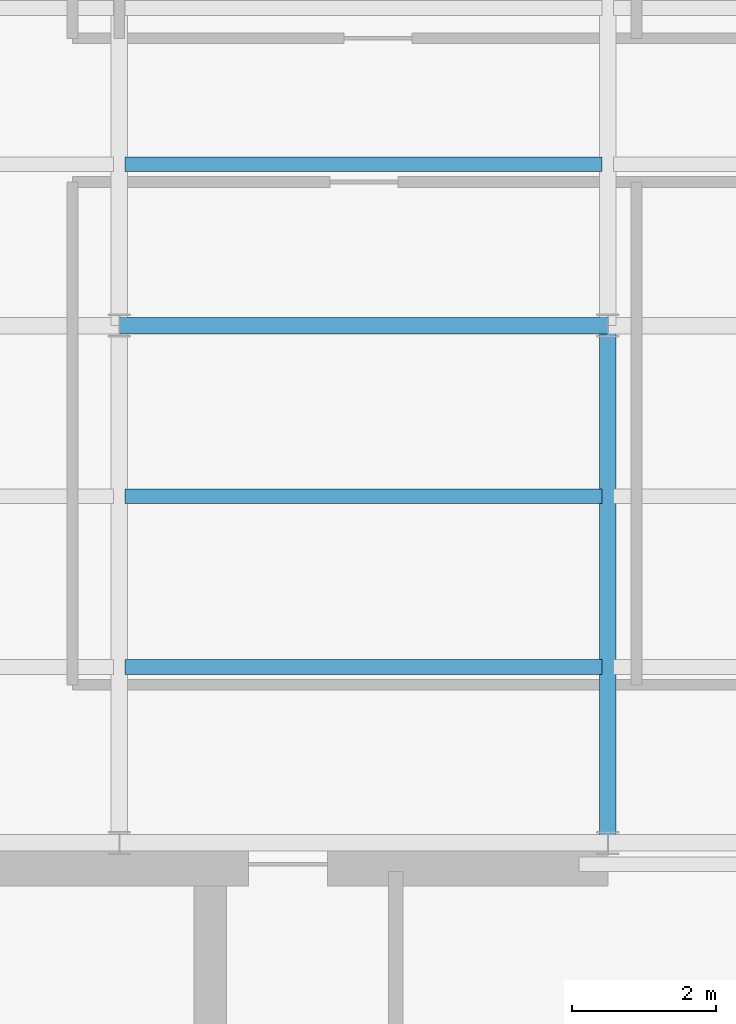
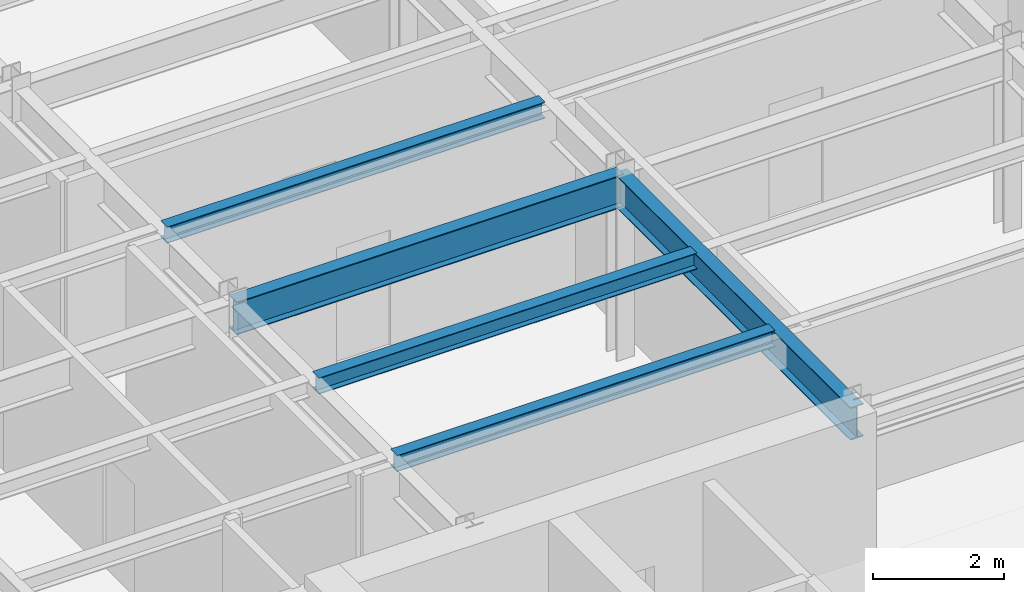
# One storey, part 6 of 22: 5 beams.
"""IFC4 building model written with IfcOpenShell, lengths in metres."""

from ifc_helpers import new_model, si_unit, derived_unit, direction, frame, origin, origin_2d, place, context, subcontext, project, spatial, i_section, extrude, source, transform, mapped, material, material_profile, profile_set, type_object, element, save


model = new_model("IFC4")

# Units and contexts
model_context = context("Model", 3, precision=1e-05, world=origin(), true_north=direction((0.0, 1.0)))
body_context = subcontext(model_context, "Body", "Model", "MODEL_VIEW")
ifc_project = project(units=[si_unit("LENGTHUNIT", "METRE"), si_unit("AREAUNIT", "SQUARE_METRE"), si_unit("VOLUMEUNIT", "CUBIC_METRE"), si_unit("PLANEANGLEUNIT", "RADIAN"), si_unit("MASSUNIT", "GRAM", prefix="KILO"), derived_unit("THERMALTRANSMITTANCEUNIT", [(si_unit("POWERUNIT", "WATT"), 1), (si_unit("LENGTHUNIT", "METRE"), -2), (si_unit("THERMODYNAMICTEMPERATUREUNIT", "KELVIN"), -1)])], contexts=[model_context])

# Site, building, storey
site_placement = place(None, origin())
site = spatial("IfcSite", under=ifc_project, at=site_placement, CompositionType="ELEMENT")
building_placement = place(site_placement, origin())
building = spatial("IfcBuilding", under=site, at=building_placement, Name="Skarnbrae Concourse Arena and Tower", CompositionType="ELEMENT")
storey_placement = place(building_placement, frame((0.0, 0.0, 251.5)))
storey = spatial("IfcBuildingStorey", under=building, at=storey_placement, Name="L65", CompositionType="ELEMENT", Elevation=251.5)

# Beams
ifc_material = material(Name="Steel CSA G40.21 350W", Category="steel")
ifc_material_profile_1 = material_profile(ifc_material, i_section(OverallWidth=0.22802734375, OverallDepth=0.60791015625, WebThickness=0.01123046875, FlangeThickness=0.017333984375, at=origin_2d()), Name="W610X113")
ifc_profile_set_1 = profile_set([ifc_material_profile_1], Name="Steel CSA G40.21 350W")
beam_type_1 = type_object("IfcBeamType", Name="BM-GIRD-W610X113", PredefinedType="BEAM", material=ifc_profile_set_1)
shared_shape_1 = source(origin(), body_context, "Body", "SweptSolid", [
    extrude(i_section(OverallWidth=0.22802734375, OverallDepth=0.60791015625, WebThickness=0.01123046875, FlangeThickness=0.017333984375, at=origin_2d()), origin(), (0.0, 0.0, 1.0), 6.7998046875),
])
beam_1_placement = place(storey_placement, frame((7.60009765625, 21.199951171875, 3.095947265625), z_axis=(1.0, 0.0, 0.0), x_axis=(0.0, 1.0, 0.0)))
element("IfcBeam", 1, at=beam_1_placement, inside=storey, type_object=beam_type_1, Name="L65 Primary E-W girder Y21.2-2", PredefinedType="BEAM", context=body_context, shape_type="MappedRepresentation", body=[
    mapped(shared_shape_1, transform((0.0, 0.0, 0.0))),
])
shared_shape_2 = source(origin(), body_context, "Body", "SweptSolid", [
    extrude(i_section(OverallWidth=0.22802734375, OverallDepth=0.60791015625, WebThickness=0.01123046875, FlangeThickness=0.017333984375, at=origin_2d()), origin(), (0.0, 0.0, 1.0), 7.199951171875),
])
beam_2_placement = place(storey_placement, frame((14.39990234375, 14.0, 3.095947265625), z_axis=(0.0, 1.0, 0.0), x_axis=(-1.0, 0.0, 0.0)))
element("IfcBeam", 2, at=beam_2_placement, inside=storey, type_object=beam_type_1, Name="L65 Primary N-S girder X14.4-1", PredefinedType="BEAM", context=body_context, shape_type="MappedRepresentation", body=[
    mapped(shared_shape_2, transform((0.0, 0.0, 0.0))),
])
ifc_material_profile_2 = material_profile(ifc_material, i_section(OverallWidth=0.202880859375, OverallDepth=0.302978515625, WebThickness=0.007568359375, FlangeThickness=0.01318359375, at=origin_2d()), Name="W310X60")
ifc_profile_set_2 = profile_set([ifc_material_profile_2], Name="Steel CSA G40.21 350W")
beam_type_2 = type_object("IfcBeamType", Name="BM-JOIST-W310X60", PredefinedType="JOIST", material=ifc_profile_set_2)
shared_shape_3 = source(origin(), body_context, "Body", "SweptSolid", [
    extrude(i_section(OverallWidth=0.202880859375, OverallDepth=0.302978515625, WebThickness=0.007568359375, FlangeThickness=0.01318359375, at=origin_2d()), origin(), (0.0, 0.0, 1.0), 6.64013671875),
])
for number, where, z_axis, x_axis, name in (
    (3, (7.679931640625, 16.447998046875, 3.24853515625), (1.0, 0.0, 0.0), (0.0, 1.0, 0.0), "L65 Secondary floor joist 1.1.2"),
    (4, (7.679931640625, 18.823974609375, 3.24853515625), (1.0, 0.0, 0.0), (0.0, 1.0, 0.0), "L65 Secondary floor joist 1.2.2"),
    (5, (7.679931640625, 23.444091796875, 3.24853515625), (1.0, 0.0, 0.0), (0.0, 1.0, 0.0), "L65 Secondary floor joist 2.1.2"),
):
    element("IfcBeam", number, at=place(storey_placement, frame(where, z_axis=z_axis, x_axis=x_axis)), inside=storey, type_object=beam_type_2, Name=name, PredefinedType="JOIST", context=body_context, shape_type="MappedRepresentation", body=[
        mapped(shared_shape_3, transform((0.0, 0.0, 0.0))),
    ])

save(model, "model.ifc")
